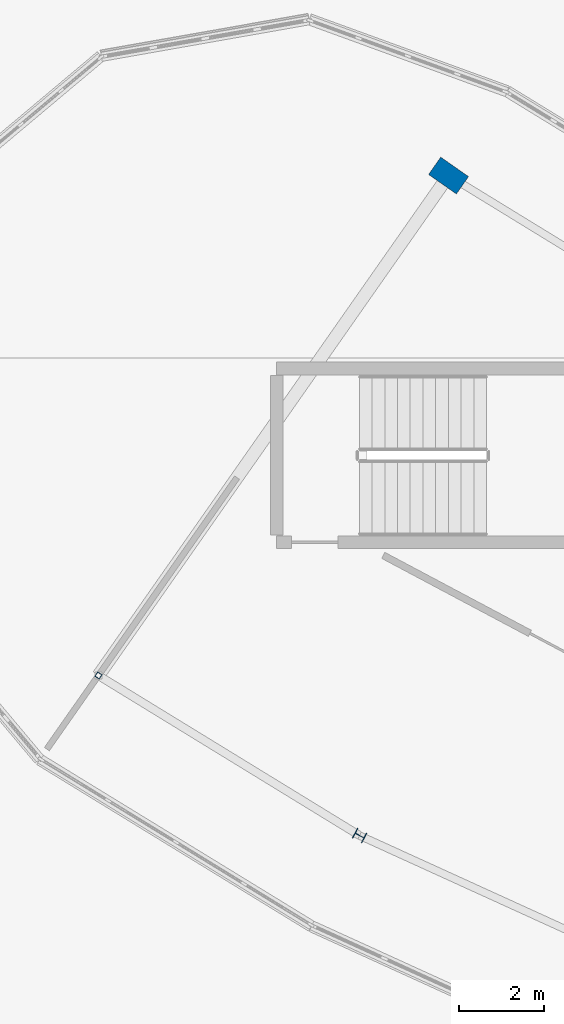
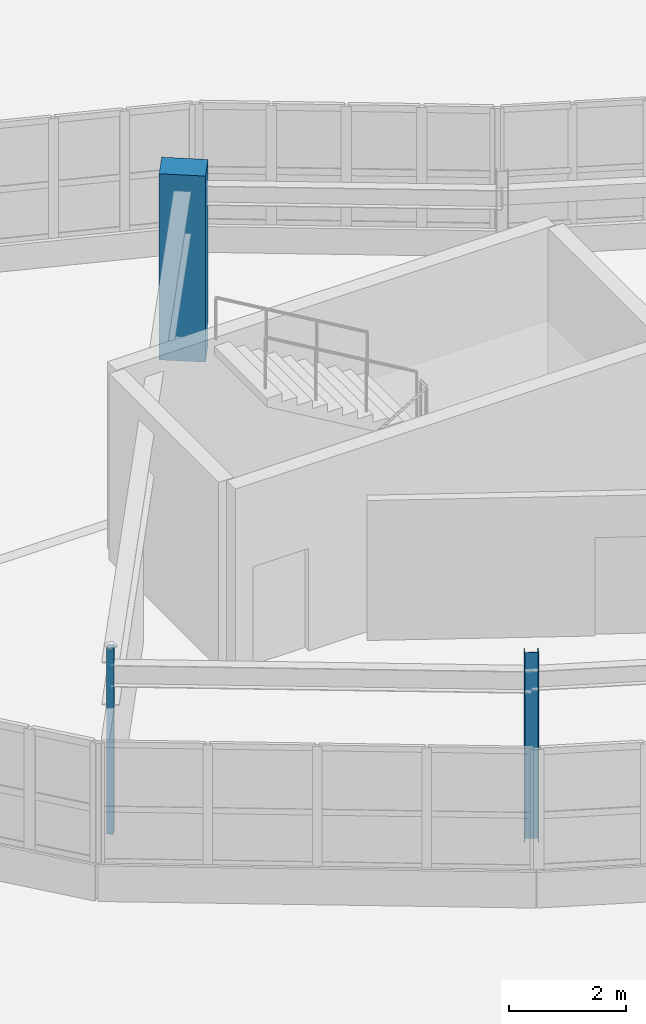
# One storey, part 1 of 128: 3 columns.
"""IFC4 building model written with IfcOpenShell, lengths in metres."""

from ifc_helpers import new_model, si_unit, direction, frame, origin, origin_2d, place, context, subcontext, project, spatial, rectangle, hollow_rectangle, i_section, extrude, material, material_profile, profile_set, type_object, element, save


model = new_model("IFC4")

# Units and contexts
model_context = context("Model", 3, precision=1e-05, world=origin(), true_north=direction((0.0, 1.0)))
body_context = subcontext(model_context, "Body", "Model", "MODEL_VIEW")
ifc_project = project(units=[si_unit("LENGTHUNIT", "METRE"), si_unit("AREAUNIT", "SQUARE_METRE"), si_unit("VOLUMEUNIT", "CUBIC_METRE"), si_unit("PLANEANGLEUNIT", "RADIAN"), si_unit("MASSUNIT", "GRAM", prefix="KILO")], contexts=[model_context])

# Site, building, storey
site_placement = place(None, origin())
site = spatial("IfcSite", under=ifc_project, at=site_placement, CompositionType="ELEMENT")
building_placement = place(site_placement, origin())
building = spatial("IfcBuilding", under=site, at=building_placement, Name="Tarnwether General Hospital", CompositionType="ELEMENT")
storey_placement = place(building_placement, frame((0.0, 0.0, 14.39990234375)))
storey = spatial("IfcBuildingStorey", under=building, at=storey_placement, Name="L03", CompositionType="ELEMENT", Elevation=14.39990234375)

# Columns
ifc_material_1 = material(Name="Concrete 50 MPa", Category="concrete")
ifc_material_profile_1 = material_profile(ifc_material_1, rectangle(XDim=0.5, YDim=0.800048828125, at=origin_2d()), Name="RC-PIL-500x800")
ifc_profile_set_1 = profile_set([ifc_material_profile_1], Name="Concrete 50 MPa")
column_type_1 = type_object("IfcColumnType", Name="COL-23", PredefinedType="PILASTER", material=ifc_profile_set_1)
column_1_placement = place(storey_placement, frame((66.303955078125, 26.302001953125, 0.0), z_axis=(0.0, 0.0, 1.0), x_axis=(0.573576436351, 0.819152044289, 0.0)))
element("IfcColumn", 1, at=column_1_placement, inside=storey, type_object=column_type_1, Name="Column COLG-L03-6630_2630", PredefinedType="PILASTER", context=body_context, shape_type="SweptSolid", body=[
    extrude(rectangle(XDim=0.5, YDim=0.800048828125, at=origin_2d()), origin(), (0.0, 0.0, 1.0), 3.900146484375),
])
ifc_material_2 = material(Name="Steel Grade 350 (350 MPa)", Category="steel")
ifc_material_profile_2 = material_profile(ifc_material_2, i_section(OverallWidth=0.25390625, OverallDepth=0.25390625, WebThickness=0.008544921875, FlangeThickness=0.01416015625, at=origin_2d()), Name="250UC72.9")
ifc_profile_set_2 = profile_set([ifc_material_profile_2], Name="Steel Grade 350 (350 MPa)")
column_type_2 = type_object("IfcColumnType", Name="COL-24", PredefinedType="COLUMN", material=ifc_profile_set_2)
column_2_placement = place(storey_placement, frame((64.20703125, 10.72998046875, 0.0), z_axis=(0.0, 0.0, 1.0), x_axis=(0.469471562786, 0.882947592859, 0.0)))
element("IfcColumn", 2, at=column_2_placement, inside=storey, type_object=column_type_2, Name="Column COLG-L03-6421_1073", PredefinedType="COLUMN", context=body_context, shape_type="SweptSolid", body=[
    extrude(i_section(OverallWidth=0.25390625, OverallDepth=0.25390625, WebThickness=0.008544921875, FlangeThickness=0.01416015625, at=origin_2d()), origin(), (0.0, 0.0, 1.0), 3.900146484375),
])
ifc_material_3 = material(Name="Steel Grade C350L0 (350 MPa)", Category="steel")
ifc_material_profile_3 = material_profile(ifc_material_3, hollow_rectangle(XDim=0.125, YDim=0.125, WallThickness=0.006103515625, at=origin_2d()), Name="SHS125x125x6")
ifc_profile_set_3 = profile_set([ifc_material_profile_3], Name="Steel Grade C350L0 (350 MPa)")
column_type_3 = type_object("IfcColumnType", Name="COL-34", PredefinedType="COLUMN", material=ifc_profile_set_3)
column_3_placement = place(storey_placement, frame((58.0439453125, 14.506103515625, 0.0), z_axis=(0.0, 0.0, 1.0), x_axis=(0.573576436351, 0.819152044289, 0.0)))
element("IfcColumn", 3, at=column_3_placement, inside=storey, type_object=column_type_3, Name="Column COLG-L03-5804_1451", PredefinedType="COLUMN", context=body_context, shape_type="SweptSolid", body=[
    extrude(hollow_rectangle(XDim=0.125, YDim=0.125, WallThickness=0.006103515625, at=origin_2d()), origin(), (0.0, 0.0, 1.0), 3.900146484375),
])

save(model, "model.ifc")
